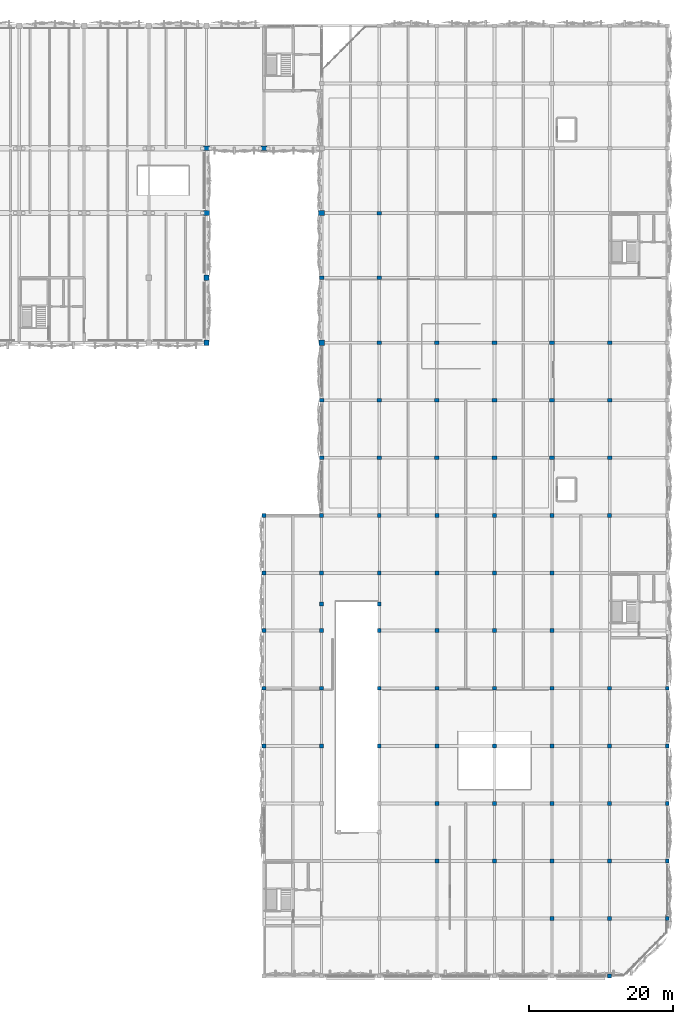
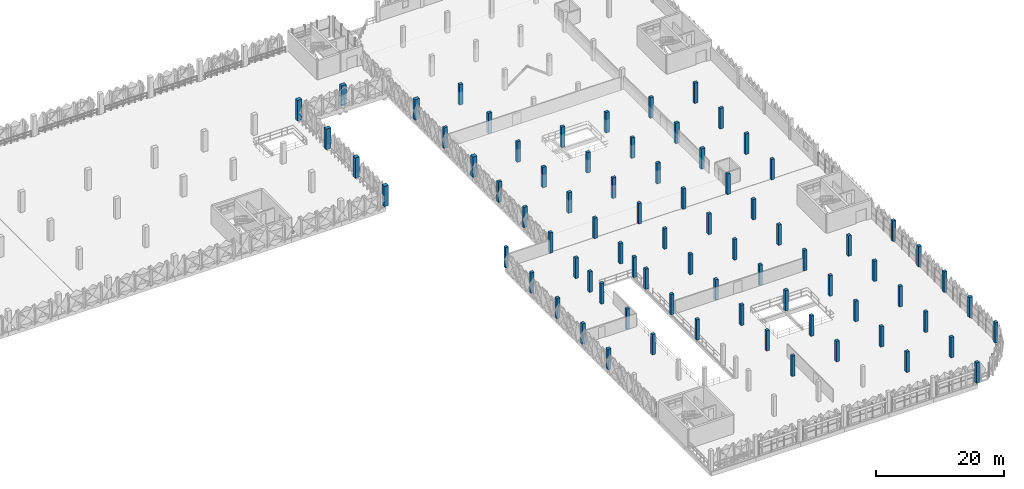
# One storey, part 4 of 83: 78 columns.
"""IFC4 building model written with IfcOpenShell, lengths in metres."""

from ifc_helpers import new_model, si_unit, derived_unit, direction, frame, origin, origin_2d, place, context, subcontext, project, spatial, rectangle, extrude, material, material_profile, profile_set, type_object, element, save


model = new_model("IFC4")

# Units and contexts
model_context = context("Model", 3, precision=1e-05, world=origin(), true_north=direction((0.0, 1.0)))
body_context = subcontext(model_context, "Body", "Model", "MODEL_VIEW")
ifc_project = project(units=[si_unit("LENGTHUNIT", "METRE"), si_unit("AREAUNIT", "SQUARE_METRE"), si_unit("VOLUMEUNIT", "CUBIC_METRE"), si_unit("PLANEANGLEUNIT", "RADIAN"), si_unit("MASSUNIT", "GRAM", prefix="KILO"), si_unit("THERMODYNAMICTEMPERATUREUNIT", "KELVIN"), derived_unit("THERMALTRANSMITTANCEUNIT", [(si_unit("POWERUNIT", "WATT"), 1), (si_unit("AREAUNIT", "SQUARE_METRE"), -1), (si_unit("THERMODYNAMICTEMPERATUREUNIT", "KELVIN"), -1)])], contexts=[model_context])

# Site, building, storey
site_placement = place(None, origin())
site = spatial("IfcSite", under=ifc_project, at=site_placement, CompositionType="ELEMENT")
building_placement = place(site_placement, origin())
building = spatial("IfcBuilding", under=site, at=building_placement, Name="Haiyu Intermodal Mobility Hub", CompositionType="ELEMENT")
storey_placement = place(building_placement, frame((0.0, 0.0, 13.39990234375)))
storey = spatial("IfcBuildingStorey", under=building, at=storey_placement, Name="L03", CompositionType="ELEMENT", Elevation=13.39990234375)

# Columns
ifc_material_1 = material(Name="Precast concrete C40", Category="concrete")
ifc_material_profile_1 = material_profile(ifc_material_1, rectangle(XDim=0.75, YDim=0.75, at=origin_2d()), Name="RC750x750")
ifc_profile_set_1 = profile_set([ifc_material_profile_1], Name="Precast concrete C40")
column_type_1 = type_object("IfcColumnType", Name="COL-CC03", PredefinedType="COLUMN", material=ifc_profile_set_1)
column_1_placement = place(storey_placement, frame((146.0, 113.0, 0.0), z_axis=(0.0, 0.0, 1.0), x_axis=(1.0, 0.0, 0.0)))
element("IfcColumn", 1, at=column_1_placement, inside=storey, type_object=column_type_1, Name="Column V3S-16N L03", PredefinedType="COLUMN", context=body_context, shape_type="SweptSolid", body=[
    extrude(rectangle(XDim=0.75, YDim=0.75, at=origin_2d()), origin(), (0.0, 0.0, 1.0), 3.900146484375),
])
ifc_material_profile_2 = material_profile(ifc_material_1, rectangle(XDim=0.75, YDim=0.75, at=origin_2d()), Name="RC750x750")
ifc_profile_set_2 = profile_set([ifc_material_profile_2], Name="Precast concrete C40")
column_type_2 = type_object("IfcColumnType", Name="COL-CC03-EXT", PredefinedType="COLUMN", material=ifc_profile_set_2)
for number, where, z_axis, x_axis, name in (
    (2, (146.0, 104.0, 0.0), (0.0, 0.0, 1.0), (1.0, 0.0, 0.0), "Column V4-16M L03"),
    (3, (162.0, 104.0, 0.0), (0.0, 0.0, 1.0), (1.0, 0.0, 0.0), "Column V4-18M L03"),
):
    element("IfcColumn", number, at=place(storey_placement, frame(where, z_axis=z_axis, x_axis=x_axis)), inside=storey, type_object=column_type_2, Name=name, PredefinedType="COLUMN", context=body_context, shape_type="SweptSolid", body=[
        extrude(rectangle(XDim=0.75, YDim=0.75, at=origin_2d()), origin(), (0.0, 0.0, 1.0), 3.900146484375),
    ])
ifc_material_profile_3 = material_profile(ifc_material_1, rectangle(XDim=0.85009765625, YDim=0.64990234375, at=origin_2d()), Name="RC850x650")
ifc_profile_set_3 = profile_set([ifc_material_profile_3], Name="Precast concrete C40")
column_type_3 = type_object("IfcColumnType", Name="COL-CC05", PredefinedType="COLUMN", material=ifc_profile_set_3)
for number, where, z_axis, x_axis, name in (
    (4, (146.0, 122.0, 0.0), (0.0, 0.0, 1.0), (1.0, 0.0, 0.0), "Column V4-16P L03"),
    (5, (146.0, 131.0, 0.0), (0.0, 0.0, 1.0), (1.0, 0.0, 0.0), "Column V4-16Q L03"),
    (6, (154.0, 131.0, 0.0), (0.0, 0.0, 1.0), (1.0, 0.0, 0.0), "Column V4-17Q L03"),
):
    element("IfcColumn", number, at=place(storey_placement, frame(where, z_axis=z_axis, x_axis=x_axis)), inside=storey, type_object=column_type_3, Name=name, PredefinedType="COLUMN", context=body_context, shape_type="SweptSolid", body=[
        extrude(rectangle(XDim=0.85009765625, YDim=0.64990234375, at=origin_2d()), origin(), (0.0, 0.0, 1.0), 3.900146484375),
    ])
ifc_material_profile_4 = material_profile(ifc_material_1, rectangle(XDim=0.85009765625, YDim=0.64990234375, at=origin_2d()), Name="RC850x650")
ifc_profile_set_4 = profile_set([ifc_material_profile_4], Name="Precast concrete C40")
column_type_4 = type_object("IfcColumnType", Name="COL-CC05-EXT", PredefinedType="COLUMN", material=ifc_profile_set_4)
column_2_placement = place(storey_placement, frame((162.0, 122.0, 0.0), z_axis=(0.0, 0.0, 1.0), x_axis=(1.0, 0.0, 0.0)))
element("IfcColumn", 7, at=column_2_placement, inside=storey, type_object=column_type_4, Name="Column V4-18P L03", PredefinedType="COLUMN", context=body_context, shape_type="SweptSolid", body=[
    extrude(rectangle(XDim=0.85009765625, YDim=0.64990234375, at=origin_2d()), origin(), (0.0, 0.0, 1.0), 3.900146484375),
])
ifc_material_2 = material(Name="Concrete C40", Category="concrete")
ifc_material_profile_5 = material_profile(ifc_material_2, rectangle(XDim=0.550048828125, YDim=0.550048828125, at=origin_2d()), Name="RC550x550")
ifc_profile_set_5 = profile_set([ifc_material_profile_5], Name="Concrete C40")
column_type_5 = type_object("IfcColumnType", Name="COL-CC11", PredefinedType="COLUMN", material=ifc_profile_set_5)
for number, where, z_axis, x_axis, name in (
    (8, (154.0, 64.0, 0.0), (0.0, 0.0, 1.0), (1.0, 0.0, 0.0), "Column V1-17G L03"),
    (9, (154.0, 72.0, 0.0), (0.0, 0.0, 1.0), (1.0, 0.0, 0.0), "Column V1-17H L03"),
    (10, (170.0, 48.0, 0.0), (0.0, 0.0, 1.0), (1.0, 0.0, 0.0), "Column V5-19E L03"),
    (11, (170.0, 56.0, 0.0), (0.0, 0.0, 1.0), (1.0, 0.0, 0.0), "Column V5-19F L03"),
    (12, (170.0, 64.0, 0.0), (0.0, 0.0, 1.0), (1.0, 0.0, 0.0), "Column V5-19G L03"),
    (13, (178.0, 32.0, 0.0), (0.0, 0.0, 1.0), (1.0, 0.0, 0.0), "Column V5-20C L03"),
    (14, (178.0, 40.0, 0.0), (0.0, 0.0, 1.0), (1.0, 0.0, 0.0), "Column V5-20D L03"),
    (15, (178.0, 48.0, 0.0), (0.0, 0.0, 1.0), (1.0, 0.0, 0.0), "Column V5-20E L03"),
    (16, (178.0, 56.0, 0.0), (0.0, 0.0, 1.0), (1.0, 0.0, 0.0), "Column V5-20F L03"),
    (17, (178.0, 64.0, 0.0), (0.0, 0.0, 1.0), (1.0, 0.0, 0.0), "Column V5-20G L03"),
    (18, (186.0, 32.0, 0.0), (0.0, 0.0, 1.0), (1.0, 0.0, 0.0), "Column V5-21C L03"),
    (19, (186.0, 40.0, 0.0), (0.0, 0.0, 1.0), (1.0, 0.0, 0.0), "Column V5-21D L03"),
    (20, (186.0, 48.0, 0.0), (0.0, 0.0, 1.0), (1.0, 0.0, 0.0), "Column V5-21E L03"),
    (21, (186.0, 56.0, 0.0), (0.0, 0.0, 1.0), (1.0, 0.0, 0.0), "Column V5-21F L03"),
    (22, (186.0, 64.0, 0.0), (0.0, 0.0, 1.0), (1.0, 0.0, 0.0), "Column V5-21G L03"),
    (23, (194.0, 24.0, 0.0), (0.0, 0.0, 1.0), (1.0, 0.0, 0.0), "Column V5-22B L03"),
    (24, (194.0, 32.0, 0.0), (0.0, 0.0, 1.0), (1.0, 0.0, 0.0), "Column V5-22C L03"),
    (25, (194.0, 40.0, 0.0), (0.0, 0.0, 1.0), (1.0, 0.0, 0.0), "Column V5-22D L03"),
    (26, (194.0, 48.0, 0.0), (0.0, 0.0, 1.0), (1.0, 0.0, 0.0), "Column V5-22E L03"),
    (27, (194.0, 56.0, 0.0), (0.0, 0.0, 1.0), (1.0, 0.0, 0.0), "Column V5-22F L03"),
    (28, (194.0, 64.0, 0.0), (0.0, 0.0, 1.0), (1.0, 0.0, 0.0), "Column V5-22G L03"),
    (29, (202.0, 24.0, 0.0), (0.0, 0.0, 1.0), (1.0, 0.0, 0.0), "Column V5-23B L03"),
    (30, (202.0, 32.0, 0.0), (0.0, 0.0, 1.0), (1.0, 0.0, 0.0), "Column V5-23C L03"),
    (31, (202.0, 40.0, 0.0), (0.0, 0.0, 1.0), (1.0, 0.0, 0.0), "Column V5-23D L03"),
    (32, (202.0, 48.0, 0.0), (0.0, 0.0, 1.0), (1.0, 0.0, 0.0), "Column V5-23E L03"),
    (33, (202.0, 56.0, 0.0), (0.0, 0.0, 1.0), (1.0, 0.0, 0.0), "Column V5-23F L03"),
    (34, (162.0, 67.699951171875, 0.0), (0.0, 0.0, 1.0), (1.0, 0.0, 0.0), "Column BRMP-5 L03"),
    (35, (170.0, 67.699951171875, 0.0), (0.0, 0.0, 1.0), (1.0, 0.0, 0.0), "Column BRMP-6 L03"),
):
    element("IfcColumn", number, at=place(storey_placement, frame(where, z_axis=z_axis, x_axis=x_axis)), inside=storey, type_object=column_type_5, Name=name, PredefinedType="COLUMN", context=body_context, shape_type="SweptSolid", body=[
        extrude(rectangle(XDim=0.550048828125, YDim=0.550048828125, at=origin_2d()), origin(), (0.0, 0.0, 1.0), 3.900146484375),
    ])
ifc_material_profile_6 = material_profile(ifc_material_2, rectangle(XDim=0.550048828125, YDim=0.550048828125, at=origin_2d()), Name="RC550x550")
ifc_profile_set_6 = profile_set([ifc_material_profile_6], Name="Concrete C40")
column_type_6 = type_object("IfcColumnType", Name="COL-CC11-EXT", PredefinedType="COLUMN", material=ifc_profile_set_6)
for number, where, z_axis, x_axis, name in (
    (36, (154.0, 48.0, 0.0), (0.0, 0.0, 1.0), (1.0, 0.0, 0.0), "Column V5-17E L03"),
    (37, (154.0, 56.0, 0.0), (0.0, 0.0, 1.0), (1.0, 0.0, 0.0), "Column V5-17F L03"),
    (38, (154.0, 80.0, 0.0), (0.0, 0.0, 1.0), (1.0, 0.0, 0.0), "Column V5-17J L03"),
    (39, (162.0, 48.0, 0.0), (0.0, 0.0, 1.0), (1.0, 0.0, 0.0), "Column V5-18E L03"),
    (40, (162.0, 56.0, 0.0), (0.0, 0.0, 1.0), (1.0, 0.0, 0.0), "Column V5-18F L03"),
    (41, (162.0, 64.0, 0.0), (0.0, 0.0, 1.0), (1.0, 0.0, 0.0), "Column V5-18G L03"),
    (42, (162.0, 72.0, 0.0), (0.0, 0.0, 1.0), (1.0, 0.0, 0.0), "Column V5-18H L03"),
    (43, (162.0, 80.0, 0.0), (0.0, 0.0, 1.0), (1.0, 0.0, 0.0), "Column V5-18J L03"),
    (44, (170.0, 72.0, 0.0), (0.0, 0.0, 1.0), (1.0, 0.0, 0.0), "Column V5-19H L03"),
    (45, (170.0, 80.0, 0.0), (0.0, 0.0, 1.0), (1.0, 0.0, 0.0), "Column V5-19J L03"),
    (46, (178.0, 72.0, 0.0), (0.0, 0.0, 1.0), (1.0, 0.0, 0.0), "Column V5-20H L03"),
    (47, (178.0, 80.0, 0.0), (0.0, 0.0, 1.0), (1.0, 0.0, 0.0), "Column V5-20J L03"),
    (48, (186.0, 72.0, 0.0), (0.0, 0.0, 1.0), (1.0, 0.0, 0.0), "Column V5-21H L03"),
    (49, (186.0, 80.0, 0.0), (0.0, 0.0, 1.0), (1.0, 0.0, 0.0), "Column V5-21J L03"),
    (50, (194.0, 72.0, 0.0), (0.0, 0.0, 1.0), (1.0, 0.0, 0.0), "Column V5-22H L03"),
    (51, (194.0, 80.0, 0.0), (0.0, 0.0, 1.0), (1.0, 0.0, 0.0), "Column V5-22J L03"),
    (52, (202.0, 16.0, 0.0), (0.0, 0.0, 1.0), (1.0, 0.0, 0.0), "Column V5-23A L03"),
    (53, (202.0, 80.0, 0.0), (0.0, 0.0, 1.0), (1.0, 0.0, 0.0), "Column V5-23J L03"),
    (54, (210.0, 24.0, 0.0), (0.0, 0.0, 1.0), (1.0, 0.0, 0.0), "Column V5-24B L03"),
    (55, (210.0, 32.0, 0.0), (0.0, 0.0, 1.0), (1.0, 0.0, 0.0), "Column V5-24C L03"),
    (56, (210.0, 40.0, 0.0), (0.0, 0.0, 1.0), (1.0, 0.0, 0.0), "Column V5-24D L03"),
    (57, (210.0, 48.0, 0.0), (0.0, 0.0, 1.0), (1.0, 0.0, 0.0), "Column V5-24E L03"),
    (58, (210.0, 56.0, 0.0), (0.0, 0.0, 1.0), (1.0, 0.0, 0.0), "Column V5-24F L03"),
):
    element("IfcColumn", number, at=place(storey_placement, frame(where, z_axis=z_axis, x_axis=x_axis)), inside=storey, type_object=column_type_6, Name=name, PredefinedType="COLUMN", context=body_context, shape_type="SweptSolid", body=[
        extrude(rectangle(XDim=0.550048828125, YDim=0.550048828125, at=origin_2d()), origin(), (0.0, 0.0, 1.0), 3.900146484375),
    ])
ifc_material_profile_7 = material_profile(ifc_material_2, rectangle(XDim=0.64990234375, YDim=0.5, at=origin_2d()), Name="C650x500")
ifc_profile_set_7 = profile_set([ifc_material_profile_7], Name="Concrete C40")
column_type_7 = type_object("IfcColumnType", Name="COL-CC17", PredefinedType="COLUMN", material=ifc_profile_set_7)
for number, where, z_axis, x_axis, name in (
    (59, (170.0, 88.0, 0.0), (0.0, 0.0, 1.0), (1.0, 0.0, 0.0), "Column V6-19K L03"),
    (60, (170.0, 96.0, 0.0), (0.0, 0.0, 1.0), (1.0, 0.0, 0.0), "Column V6-19L L03"),
    (61, (170.0, 104.0, 0.0), (0.0, 0.0, 1.0), (1.0, 0.0, 0.0), "Column V6-19M L03"),
    (62, (170.0, 113.0, 0.0), (0.0, 0.0, 1.0), (1.0, 0.0, 0.0), "Column V6-19N L03"),
    (63, (170.0, 122.0, 0.0), (0.0, 0.0, 1.0), (1.0, 0.0, 0.0), "Column V6-19P L03"),
    (64, (178.0, 88.0, 0.0), (0.0, 0.0, 1.0), (1.0, 0.0, 0.0), "Column V6-20K L03"),
    (65, (178.0, 96.0, 0.0), (0.0, 0.0, 1.0), (1.0, 0.0, 0.0), "Column V6-20L L03"),
    (66, (178.0, 104.0, 0.0), (0.0, 0.0, 1.0), (1.0, 0.0, 0.0), "Column V6-20M L03"),
    (67, (186.0, 88.0, 0.0), (0.0, 0.0, 1.0), (1.0, 0.0, 0.0), "Column V6-21K L03"),
    (68, (186.0, 96.0, 0.0), (0.0, 0.0, 1.0), (1.0, 0.0, 0.0), "Column V6-21L L03"),
    (69, (186.0, 104.0, 0.0), (0.0, 0.0, 1.0), (1.0, 0.0, 0.0), "Column V6-21M L03"),
    (70, (194.0, 88.0, 0.0), (0.0, 0.0, 1.0), (1.0, 0.0, 0.0), "Column V6-22K L03"),
    (71, (194.0, 96.0, 0.0), (0.0, 0.0, 1.0), (1.0, 0.0, 0.0), "Column V6-22L L03"),
    (72, (194.0, 104.0, 0.0), (0.0, 0.0, 1.0), (1.0, 0.0, 0.0), "Column V6-22M L03"),
    (73, (202.0, 88.0, 0.0), (0.0, 0.0, 1.0), (1.0, 0.0, 0.0), "Column V6-23K L03"),
    (74, (202.0, 96.0, 0.0), (0.0, 0.0, 1.0), (1.0, 0.0, 0.0), "Column V6-23L L03"),
    (75, (202.0, 104.0, 0.0), (0.0, 0.0, 1.0), (1.0, 0.0, 0.0), "Column V6-23M L03"),
):
    element("IfcColumn", number, at=place(storey_placement, frame(where, z_axis=z_axis, x_axis=x_axis)), inside=storey, type_object=column_type_7, Name=name, PredefinedType="COLUMN", context=body_context, shape_type="SweptSolid", body=[
        extrude(rectangle(XDim=0.64990234375, YDim=0.5, at=origin_2d()), origin(), (0.0, 0.0, 1.0), 3.900146484375),
    ])
ifc_material_profile_8 = material_profile(ifc_material_2, rectangle(XDim=0.64990234375, YDim=0.5, at=origin_2d()), Name="C650x500")
ifc_profile_set_8 = profile_set([ifc_material_profile_8], Name="Concrete C40")
column_type_8 = type_object("IfcColumnType", Name="COL-CC17-EXT", PredefinedType="COLUMN", material=ifc_profile_set_8)
for number, where, z_axis, x_axis, name in (
    (76, (162.0, 88.0, 0.0), (0.0, 0.0, 1.0), (1.0, 0.0, 0.0), "Column V6-18K L03"),
    (77, (162.0, 96.0, 0.0), (0.0, 0.0, 1.0), (1.0, 0.0, 0.0), "Column V6-18L L03"),
    (78, (162.0, 113.0, 0.0), (0.0, 0.0, 1.0), (1.0, 0.0, 0.0), "Column V6-18N L03"),
):
    element("IfcColumn", number, at=place(storey_placement, frame(where, z_axis=z_axis, x_axis=x_axis)), inside=storey, type_object=column_type_8, Name=name, PredefinedType="COLUMN", context=body_context, shape_type="SweptSolid", body=[
        extrude(rectangle(XDim=0.64990234375, YDim=0.5, at=origin_2d()), origin(), (0.0, 0.0, 1.0), 3.900146484375),
    ])

save(model, "model.ifc")
